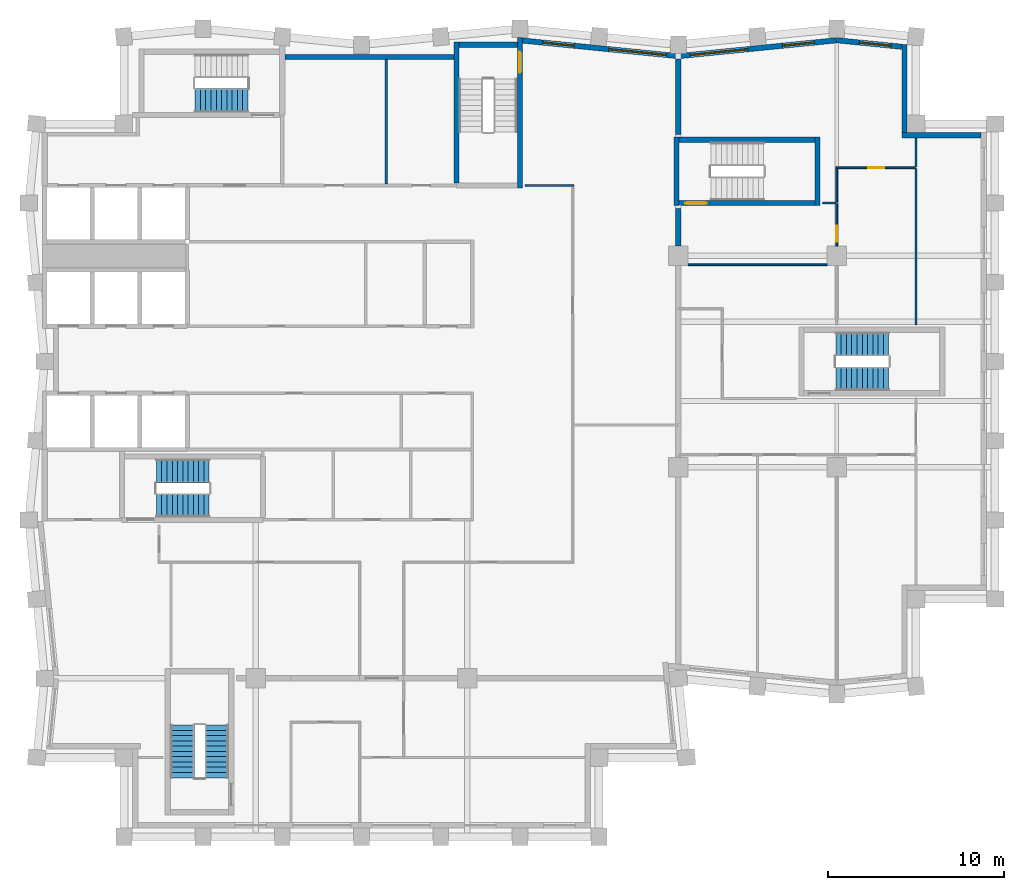
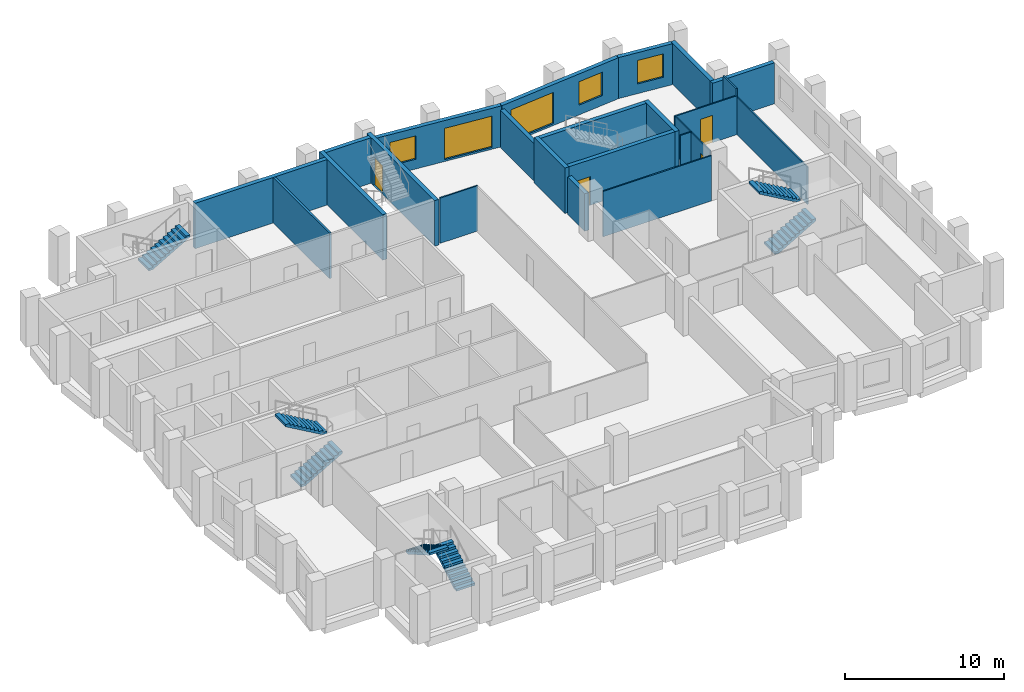
# One storey, part 6 of 8: 24 walls, 7 stair flights, 5 windows, 4 doors, 9 openings, 4 elements without a shape of their own.
"""IFC4 building model written with IfcOpenShell, lengths in metres."""

from ifc_helpers import new_model, si_unit, direction, frame, frame_2d, origin, place, context, subcontext, project, spatial, polyline, rectangle, outline, extrude, material, layer, layer_set, type_object, element, fill, aggregate, save


model = new_model("IFC4")

# Units and contexts
model_context = context("Model", 3, precision=1e-05, world=origin(), true_north=direction((0.0, 1.0)))
body_context = subcontext(model_context, "Body", "Model", "MODEL_VIEW")
ifc_project = project(units=[si_unit("LENGTHUNIT", "METRE"), si_unit("AREAUNIT", "SQUARE_METRE"), si_unit("VOLUMEUNIT", "CUBIC_METRE"), si_unit("PLANEANGLEUNIT", "RADIAN"), si_unit("MASSUNIT", "GRAM", prefix="KILO")], contexts=[model_context])

# Site, building, storey
site_placement = place(None, origin())
site = spatial("IfcSite", under=ifc_project, at=site_placement, CompositionType="ELEMENT")
building_placement = place(site_placement, origin())
building = spatial("IfcBuilding", under=site, at=building_placement, Name="Brondeck Convention Tower", CompositionType="ELEMENT")
storey_placement = place(building_placement, frame((0.0, 0.0, 214.0)))
storey = spatial("IfcBuildingStorey", under=building, at=storey_placement, Name="L52", CompositionType="ELEMENT", Elevation=214.0)

# Walls
ifc_material_1 = material(Name="Concrete compartment wall C30/37", Category="concrete")
ifc_layer_1 = layer(ifc_material_1, 0.300048828125)
ifc_layer_set_1 = layer_set([ifc_layer_1], Name="Compartment wall 300")
wall_type_1 = type_object("IfcWallType", Name="Compartment wall 300", PredefinedType="PARTITIONING", material=ifc_layer_set_1)
wall_1_placement = place(storey_placement, frame((36.0, 51.554931640625, 0.0), z_axis=(0.0, 0.0, 1.0), x_axis=(0.0, 1.0, 0.0)))
element("IfcWall", 1, at=wall_1_placement, inside=storey, type_object=wall_type_1, Name="FLR-L52-W047", PredefinedType="PARTITIONING", context=body_context, shape_type="SweptSolid", body=[
    extrude(rectangle(XDim=2.14501953125, YDim=0.300048828125, at=frame_2d((1.072509765625, 0.0))), origin(), (0.0, 0.0, 1.0), 2.8798828125),
])
wall_2_placement = place(storey_placement, frame((36.0, 57.89990234375, 0.0), z_axis=(0.0, 0.0, 1.0), x_axis=(0.0, 1.0, 0.0)))
element("IfcWall", 2, at=wall_2_placement, inside=storey, type_object=wall_type_1, Name="FLR-L52-W055", PredefinedType="PARTITIONING", context=body_context, shape_type="SweptSolid", body=[
    extrude(rectangle(XDim=4.2763671875, YDim=0.300048828125, at=frame_2d((2.13818359375, 0.0))), origin(), (0.0, 0.0, 1.0), 2.8798828125),
])
ifc_material_2 = material(Name="Concrete C50/60", Category="concrete")
ifc_layer_2 = layer(ifc_material_2, 0.300048828125)
ifc_layer_set_2 = layer_set([ifc_layer_2], Name="Core outer wall 300 Concrete C50/60")
wall_type_2 = type_object("IfcWallType", Name="Core outer wall 300 Concrete C50/60", PredefinedType="SHEAR", material=ifc_layer_set_2)
wall_3_placement = place(storey_placement, frame((13.64990234375, 62.300048828125, 0.0), z_axis=(0.0, 0.0, 1.0), x_axis=(1.0, 0.0, 0.0)))
element("IfcWall", 3, at=wall_3_placement, inside=storey, type_object=wall_type_2, Name="L52 core wall", PredefinedType="SHEAR", context=body_context, shape_type="SweptSolid", body=[
    extrude(rectangle(XDim=9.60009765625, YDim=0.300048828125, at=frame_2d((4.800048828125, 0.0))), origin(), (0.0, 0.0, 1.0), 3.5),
])
ifc_material_3 = material(Name="Fire-rated gypsum board partition")
ifc_layer_3 = layer(ifc_material_3, 0.14990234375)
ifc_layer_set_3 = layer_set([ifc_layer_3], Name="Core partition 150 EI 60")
wall_type_3 = type_object("IfcWallType", Name="Core partition 150 EI 60", PredefinedType="PARTITIONING", material=ifc_layer_set_3)
wall_4_placement = place(storey_placement, frame((19.39990234375, 55.074951171875, 0.0), z_axis=(0.0, 0.0, 1.0), x_axis=(0.0, 1.0, 0.0)))
element("IfcWall", 4, at=wall_4_placement, inside=storey, type_object=wall_type_3, Name="L52 core wall", PredefinedType="PARTITIONING", context=body_context, shape_type="SweptSolid", body=[
    extrude(rectangle(XDim=7.074951171875, YDim=0.14990234375, at=frame_2d((3.53759765625, 0.0))), origin(), (0.0, 0.0, 1.0), 3.5),
])
ifc_material_4 = material(Name="Precast concrete C50/60 bronze finish", Category="concrete")
ifc_layer_4 = layer(ifc_material_4, 0.070068359375, Name="Bronze precast facing")
ifc_material_5 = material(Name="Mineral wool")
ifc_layer_5 = layer(ifc_material_5, 0.159912109375, Name="Insulation")
ifc_material_6 = material(Name="Concrete C35/45", Category="concrete")
ifc_layer_6 = layer(ifc_material_6, 0.070068359375, Name="Backing")
ifc_layer_set_4 = layer_set([ifc_layer_4, ifc_layer_5, ifc_layer_6], Name="External infill wall, precast concrete C50/60 bronze facing")
wall_type_4 = type_object("IfcWallType", Name="External infill wall, precast concrete C50/60 bronze facing", PredefinedType="SOLIDWALL", material=ifc_layer_set_4)
wall_5_placement = place(storey_placement, frame((48.699951171875, 57.85009765625, 0.0), z_axis=(0.0, 0.0, 1.0), x_axis=(1.0, 0.0, 0.0)))
element("IfcWall", 5, at=wall_5_placement, inside=storey, type_object=wall_type_4, Name="ENV-EW-L52-P2-NC-NEA54-01", PredefinedType="SOLIDWALL", context=body_context, shape_type="SweptSolid", body=[
    extrude(rectangle(XDim=4.501953125, YDim=0.300048828125, at=frame_2d((2.2509765625, 0.0))), origin(), (0.0, 0.0, 1.0), 3.14990234375),
])
wall_6_placement = place(storey_placement, frame((48.85009765625, 62.99755859375, 0.0), z_axis=(0.0, 0.0, 1.0), x_axis=(0.0, -1.0, 0.0)))
element("IfcWall", 6, at=wall_6_placement, inside=storey, type_object=wall_type_4, Name="ENV-EW-L52-P2-NC-NEA54-02", PredefinedType="SOLIDWALL", context=body_context, shape_type="SweptSolid", body=[
    extrude(rectangle(XDim=4.99951171875, YDim=0.300048828125, at=frame_2d((2.499755859375, 0.0))), origin(), (0.0, 0.0, 1.0), 3.14990234375),
])

# Wall, opening, window
wall_7_placement = place(storey_placement, frame((44.985107421875, 63.248291015625, 0.0), z_axis=(0.0, 0.0, 1.0), x_axis=(0.995037837869, -0.099497242219, 0.0)))
wall_7 = element("IfcWall", 7, at=wall_7_placement, inside=storey, type_object=wall_type_4, Name="ENV-EW-L52-P2-A-N-10", PredefinedType="SOLIDWALL", context=body_context, shape_type="SweptSolid", body=[
    extrude(rectangle(XDim=3.732177734375, YDim=0.300048828125, at=frame_2d((1.8662109375, 0.0))), origin(), (0.0, 0.0, 1.0), 3.14990234375),
])
opening_1_placement = place(wall_7_placement, frame((1.311279296875, 0.0, 0.75)))
opening_1 = element("IfcOpeningElement", 8, at=opening_1_placement, cuts=wall_7, Name="Opening W10", PredefinedType="OPENING", context=body_context, shape_type="SweptSolid", body=[
    extrude(rectangle(XDim=1.800048828125, YDim=1.800048828125, at=frame_2d((0.89990234375, 0.89990234375))), frame((0.0, 0.159912109375, 0.0), z_axis=(0.0, -1.0, 0.0), x_axis=(1.0, 0.0, 0.0)), (0.0, 0.0, 1.0), 0.320068359375),
])
ifc_material_7 = material(Name="Bronze tinted double glazing", Category="glass")
window_type_1 = type_object("IfcWindowType", Name="Punched window, bronze tinted", PartitioningType="SINGLE_PANEL", PredefinedType="WINDOW", material=ifc_material_7)
window_1_placement = place(opening_1_placement, origin())
window_1 = element("IfcWindow", 9, at=window_1_placement, inside=storey, type_object=window_type_1, Name="ENV-WN-L52-P2-A-N-10", OverallHeight=1.800048828125, OverallWidth=1.800048828125, PartitioningType="SINGLE_PANEL", PredefinedType="WINDOW", context=body_context, shape_type="SweptSolid", body=[
    extrude(rectangle(XDim=1.800048828125, YDim=1.800048828125, at=frame_2d((0.89990234375, 0.89990234375))), frame((0.0, 0.030029296875, 0.0), z_axis=(0.0, -1.0, 0.0), x_axis=(1.0, 0.0, 0.0)), (0.0, 0.0, 1.0), 0.06005859375),
])
fill(opening_1, window_1)

# Wall, openings, windows
wall_8_placement = place(storey_placement, frame((35.985107421875, 62.34521484375, 0.0), z_axis=(0.0, 0.0, 1.0), x_axis=(0.995035316196, 0.099522457379, 0.0)))
wall_8 = element("IfcWall", 10, at=wall_8_placement, inside=storey, type_object=wall_type_4, Name="ENV-EW-L52-P2-A-N-09", PredefinedType="SOLIDWALL", context=body_context, shape_type="SweptSolid", body=[
    extrude(rectangle(XDim=9.030029296875, YDim=0.300048828125, at=frame_2d((4.51513671875, 0.0))), origin(), (0.0, 0.0, 1.0), 3.14990234375),
])
opening_2_placement = place(wall_8_placement, frame((0.691162109375, 0.0, 0.14990234375)))
opening_2 = element("IfcOpeningElement", 11, at=opening_2_placement, cuts=wall_8, Name="Opening W9", PredefinedType="OPENING", context=body_context, shape_type="SweptSolid", body=[
    extrude(rectangle(XDim=3.300048828125, YDim=2.39990234375, at=frame_2d((1.64990234375, 1.199951171875))), frame((0.0, 0.159912109375, 0.0), z_axis=(0.0, -1.0, 0.0), x_axis=(1.0, 0.0, 0.0)), (0.0, 0.0, 1.0), 0.320068359375),
])
opening_3_placement = place(wall_8_placement, frame((5.963623046875, 0.0, 0.75)))
opening_3 = element("IfcOpeningElement", 12, at=opening_3_placement, cuts=wall_8, Name="Opening W10", PredefinedType="OPENING", context=body_context, shape_type="SweptSolid", body=[
    extrude(rectangle(XDim=1.800048828125, YDim=1.800048828125, at=frame_2d((0.89990234375, 0.89990234375))), frame((0.0, 0.159912109375, 0.0), z_axis=(0.0, -1.0, 0.0), x_axis=(1.0, 0.0, 0.0)), (0.0, 0.0, 1.0), 0.320068359375),
])
window_type_2 = type_object("IfcWindowType", Name="Glazed flute window, bronze tinted", PartitioningType="SINGLE_PANEL", PredefinedType="WINDOW", material=ifc_material_7)
window_2_placement = place(opening_2_placement, origin())
window_2 = element("IfcWindow", 13, at=window_2_placement, inside=storey, type_object=window_type_2, Name="ENV-WN-L52-P2-A-N-08", OverallHeight=2.39990234375, OverallWidth=3.300048828125, PartitioningType="SINGLE_PANEL", PredefinedType="WINDOW", context=body_context, shape_type="SweptSolid", body=[
    extrude(rectangle(XDim=3.300048828125, YDim=2.39990234375, at=frame_2d((1.64990234375, 1.199951171875))), frame((0.0, 0.030029296875, 0.0), z_axis=(0.0, -1.0, 0.0), x_axis=(1.0, 0.0, 0.0)), (0.0, 0.0, 1.0), 0.06005859375),
])
fill(opening_2, window_2)
window_3_placement = place(opening_3_placement, origin())
window_3 = element("IfcWindow", 14, at=window_3_placement, inside=storey, type_object=window_type_1, Name="ENV-WN-L52-P2-A-N-09", OverallHeight=1.800048828125, OverallWidth=1.800048828125, PartitioningType="SINGLE_PANEL", PredefinedType="WINDOW", context=body_context, shape_type="SweptSolid", body=[
    extrude(rectangle(XDim=1.800048828125, YDim=1.800048828125, at=frame_2d((0.89990234375, 0.89990234375))), frame((0.0, 0.030029296875, 0.0), z_axis=(0.0, -1.0, 0.0), x_axis=(1.0, 0.0, 0.0)), (0.0, 0.0, 1.0), 0.06005859375),
])
fill(opening_3, window_3)

wall_9_placement = place(storey_placement, frame((27.084716796875, 63.23828125, 0.0), z_axis=(0.0, 0.0, 1.0), x_axis=(0.995035836657, -0.099517253618, 0.0)))
wall_9 = element("IfcWall", 15, at=wall_9_placement, inside=storey, type_object=wall_type_4, Name="ENV-EW-L52-P2-A-N-07", PredefinedType="SOLIDWALL", context=body_context, shape_type="SweptSolid", body=[
    extrude(rectangle(XDim=8.929931640625, YDim=0.300048828125, at=frame_2d((4.46484375, 0.0))), origin(), (0.0, 0.0, 1.0), 3.14990234375),
])
opening_4_placement = place(wall_9_placement, frame((1.211181640625, 0.0, 0.75)))
opening_4 = element("IfcOpeningElement", 16, at=opening_4_placement, cuts=wall_9, Name="Opening W10", PredefinedType="OPENING", context=body_context, shape_type="SweptSolid", body=[
    extrude(rectangle(XDim=1.800048828125, YDim=1.800048828125, at=frame_2d((0.89990234375, 0.89990234375))), frame((0.0, 0.159912109375, 0.0), z_axis=(0.0, -1.0, 0.0), x_axis=(1.0, 0.0, 0.0)), (0.0, 0.0, 1.0), 0.320068359375),
])
opening_5_placement = place(wall_9_placement, frame((4.983642578125, 0.0, 0.14990234375)))
opening_5 = element("IfcOpeningElement", 17, at=opening_5_placement, cuts=wall_9, Name="Opening W9", PredefinedType="OPENING", context=body_context, shape_type="SweptSolid", body=[
    extrude(rectangle(XDim=3.300048828125, YDim=2.39990234375, at=frame_2d((1.64990234375, 1.199951171875))), frame((0.0, 0.159912109375, 0.0), z_axis=(0.0, -1.0, 0.0), x_axis=(1.0, 0.0, 0.0)), (0.0, 0.0, 1.0), 0.320068359375),
])
window_4_placement = place(opening_5_placement, origin())
window_4 = element("IfcWindow", 18, at=window_4_placement, inside=storey, type_object=window_type_2, Name="ENV-WN-L52-P2-A-N-07", OverallHeight=2.39990234375, OverallWidth=3.300048828125, PartitioningType="SINGLE_PANEL", PredefinedType="WINDOW", context=body_context, shape_type="SweptSolid", body=[
    extrude(rectangle(XDim=3.300048828125, YDim=2.39990234375, at=frame_2d((1.64990234375, 1.199951171875))), frame((0.0, 0.030029296875, 0.0), z_axis=(0.0, -1.0, 0.0), x_axis=(1.0, 0.0, 0.0)), (0.0, 0.0, 1.0), 0.06005859375),
])
fill(opening_5, window_4)
window_5_placement = place(opening_4_placement, origin())
window_5 = element("IfcWindow", 19, at=window_5_placement, inside=storey, type_object=window_type_1, Name="ENV-WN-L52-P2-A-N-06", OverallHeight=1.800048828125, OverallWidth=1.800048828125, PartitioningType="SINGLE_PANEL", PredefinedType="WINDOW", context=body_context, shape_type="SweptSolid", body=[
    extrude(rectangle(XDim=1.800048828125, YDim=1.800048828125, at=frame_2d((0.89990234375, 0.89990234375))), frame((0.0, 0.030029296875, 0.0), z_axis=(0.0, -1.0, 0.0), x_axis=(1.0, 0.0, 0.0)), (0.0, 0.0, 1.0), 0.06005859375),
])
fill(opening_4, window_5)

# Walls
ifc_material_8 = material(Name="Gypsum board partition on steel studs", Category="steel")
ifc_layer_7 = layer(ifc_material_8, 0.10009765625)
ifc_layer_set_5 = layer_set([ifc_layer_7], Name="Room partition 100")
wall_type_5 = type_object("IfcWallType", Name="Room partition 100", PredefinedType="PARTITIONING", material=ifc_layer_set_5)
wall_10_placement = place(storey_placement, frame((49.5, 47.10009765625, 0.0), z_axis=(0.0, 0.0, 1.0), x_axis=(0.0, 1.0, 0.0)))
element("IfcWall", 20, at=wall_10_placement, inside=storey, type_object=wall_type_5, Name="FLR-L52-W041", PredefinedType="PARTITIONING", context=body_context, shape_type="SweptSolid", body=[
    extrude(rectangle(XDim=8.849853515625, YDim=0.10009765625, at=frame_2d((4.4248046875, 0.0))), origin(), (0.0, 0.0, 1.0), 2.8798828125),
])
wall_11_placement = place(storey_placement, frame((44.445068359375, 50.5, 0.0), z_axis=(0.0, 0.0, 1.0), x_axis=(-1.0, 0.0, 0.0)))
element("IfcWall", 21, at=wall_11_placement, inside=storey, type_object=wall_type_5, Name="FLR-L52-W046", PredefinedType="PARTITIONING", context=body_context, shape_type="SweptSolid", body=[
    extrude(rectangle(XDim=7.89013671875, YDim=0.10009765625, at=frame_2d((3.945068359375, 0.0))), origin(), (0.0, 0.0, 1.0), 3.47998046875),
])

# Wall, opening, door
wall_12_placement = place(storey_placement, frame((45.0, 53.949951171875, 0.0), z_axis=(0.0, 0.0, 1.0), x_axis=(0.0, -1.0, 0.0)))
wall_12 = element("IfcWall", 22, at=wall_12_placement, inside=storey, type_object=wall_type_5, Name="FLR-L52-W048", PredefinedType="PARTITIONING", context=body_context, shape_type="SweptSolid", body=[
    extrude(rectangle(XDim=2.39501953125, YDim=0.10009765625, at=frame_2d((1.197509765625, 0.0))), origin(), (0.0, 0.0, 1.0), 2.97998046875),
])
opening_6_placement = place(wall_12_placement, frame((1.25, 0.0, 0.0)))
opening_6 = element("IfcOpeningElement", 23, at=opening_6_placement, cuts=wall_12, Name="Opening OF-L-007", PredefinedType="OPENING", context=body_context, shape_type="SweptSolid", body=[
    extrude(rectangle(XDim=0.89990234375, YDim=2.10009765625, at=frame_2d((0.449951171875, 1.050048828125))), frame((0.0, 0.06005859375, 0.0), z_axis=(0.0, -1.0, 0.0), x_axis=(1.0, 0.0, 0.0)), (0.0, 0.0, 1.0), 0.1201171875),
])
ifc_material_9 = material(Name="Solid timber door leaf", Category="wood")
door_type_1 = type_object("IfcDoorType", Name="Single door 900", OperationType="NOTDEFINED", PredefinedType="DOOR", material=ifc_material_9)
door_1_placement = place(opening_6_placement, origin())
door_1 = element("IfcDoor", 24, at=door_1_placement, inside=storey, type_object=door_type_1, Name="Door OF-L-007", OperationType="SINGLE_SWING_LEFT", OverallHeight=2.10009765625, OverallWidth=0.89990234375, PredefinedType="DOOR", context=body_context, shape_type="SweptSolid", body=[
    extrude(rectangle(XDim=0.89990234375, YDim=2.10009765625, at=frame_2d((0.449951171875, 1.050048828125))), frame((0.0, 0.02490234375, 0.0), z_axis=(0.0, -1.0, 0.0), x_axis=(1.0, 0.0, 0.0)), (0.0, 0.0, 1.0), 0.050048828125),
])
fill(opening_6, door_1)

# Walls
wall_13_placement = place(storey_placement, frame((44.199951171875, 54.0, 0.0), z_axis=(0.0, 0.0, 1.0), x_axis=(1.0, 0.0, 0.0)))
element("IfcWall", 25, at=wall_13_placement, inside=storey, type_object=wall_type_5, Name="FLR-L52-W049", PredefinedType="PARTITIONING", context=body_context, shape_type="SweptSolid", body=[
    extrude(rectangle(XDim=0.75, YDim=0.10009765625, at=frame_2d((0.375, 0.0))), origin(), (0.0, 0.0, 1.0), 2.97998046875),
])
wall_14_placement = place(storey_placement, frame((45.0, 54.050048828125, 0.0), z_axis=(0.0, 0.0, 1.0), x_axis=(0.0, 1.0, 0.0)))
element("IfcWall", 26, at=wall_14_placement, inside=storey, type_object=wall_type_5, Name="FLR-L52-W050", PredefinedType="PARTITIONING", context=body_context, shape_type="SweptSolid", body=[
    extrude(rectangle(XDim=1.89990234375, YDim=0.10009765625, at=frame_2d((0.949951171875, 0.0))), origin(), (0.0, 0.0, 1.0), 2.97998046875),
])
wall_15_placement = place(storey_placement, frame((27.300048828125, 55.0, 0.0), z_axis=(0.0, 0.0, 1.0), x_axis=(1.0, 0.0, 0.0)))
element("IfcWall", 27, at=wall_15_placement, inside=storey, type_object=wall_type_5, Name="FLR-L52-W052", PredefinedType="PARTITIONING", context=body_context, shape_type="SweptSolid", body=[
    extrude(rectangle(XDim=2.75, YDim=0.10009765625, at=frame_2d((1.375, 0.0))), origin(), (0.0, 0.0, 1.0), 3.47998046875),
])

# Wall, opening, door
wall_16_placement = place(storey_placement, frame((44.949951171875, 56.0, 0.0), z_axis=(0.0, 0.0, 1.0), x_axis=(1.0, 0.0, 0.0)))
wall_16 = element("IfcWall", 28, at=wall_16_placement, inside=storey, type_object=wall_type_5, Name="FLR-L52-W053", PredefinedType="PARTITIONING", context=body_context, shape_type="SweptSolid", body=[
    extrude(rectangle(XDim=4.5, YDim=0.10009765625, at=frame_2d((2.25, 0.0))), origin(), (0.0, 0.0, 1.0), 2.97998046875),
])
opening_7_placement = place(wall_16_placement, frame((1.85009765625, 0.0, 0.0)))
opening_7 = element("IfcOpeningElement", 29, at=opening_7_placement, cuts=wall_16, Name="Opening OF-L-008", PredefinedType="OPENING", context=body_context, shape_type="SweptSolid", body=[
    extrude(rectangle(XDim=0.89990234375, YDim=2.10009765625, at=frame_2d((0.449951171875, 1.050048828125))), frame((0.0, 0.06005859375, 0.0), z_axis=(0.0, -1.0, 0.0), x_axis=(1.0, 0.0, 0.0)), (0.0, 0.0, 1.0), 0.1201171875),
])
door_2_placement = place(opening_7_placement, origin())
door_2 = element("IfcDoor", 30, at=door_2_placement, inside=storey, type_object=door_type_1, Name="Door OF-L-008", OperationType="SINGLE_SWING_LEFT", OverallHeight=2.10009765625, OverallWidth=0.89990234375, PredefinedType="DOOR", context=body_context, shape_type="SweptSolid", body=[
    extrude(rectangle(XDim=0.89990234375, YDim=2.10009765625, at=frame_2d((0.449951171875, 1.050048828125))), frame((0.0, 0.02490234375, 0.0), z_axis=(0.0, -1.0, 0.0), x_axis=(1.0, 0.0, 0.0)), (0.0, 0.0, 1.0), 0.050048828125),
])
fill(opening_7, door_2)

# Wall
wall_17_placement = place(storey_placement, frame((49.5, 56.050048828125, 0.0), z_axis=(0.0, 0.0, 1.0), x_axis=(0.0, 1.0, 0.0)))
element("IfcWall", 31, at=wall_17_placement, inside=storey, type_object=wall_type_5, Name="FLR-L52-W054", PredefinedType="PARTITIONING", context=body_context, shape_type="SweptSolid", body=[
    extrude(rectangle(XDim=1.6298828125, YDim=0.10009765625, at=frame_2d((0.81494140625, 0.0))), origin(), (0.0, 0.0, 1.0), 3.47998046875),
])

# Wall, opening, door
ifc_layer_8 = layer(ifc_material_2, 0.300048828125)
ifc_layer_set_6 = layer_set([ifc_layer_8], Name="Stair enclosure wall 300 Concrete C50/60")
wall_type_6 = type_object("IfcWallType", Name="Stair enclosure wall 300 Concrete C50/60", PredefinedType="SHEAR", material=ifc_layer_set_6)
wall_18_placement = place(storey_placement, frame((36.050048828125, 54.0, 0.0), z_axis=(0.0, 0.0, 1.0), x_axis=(1.0, 0.0, 0.0)))
wall_18 = element("IfcWall", 32, at=wall_18_placement, inside=storey, type_object=wall_type_6, Name="L52 core wall", PredefinedType="SHEAR", context=body_context, shape_type="SweptSolid", body=[
    extrude(rectangle(XDim=7.699951171875, YDim=0.300048828125, at=frame_2d((3.85009765625, 0.0))), origin(), (0.0, 0.0, 1.0), 3.5),
])
opening_8_placement = place(wall_18_placement, frame((0.35009765625, 0.0, 0.0)))
opening_8 = element("IfcOpeningElement", 33, at=opening_8_placement, cuts=wall_18, Name="Opening C29-16", PredefinedType="OPENING", context=body_context, shape_type="SweptSolid", body=[
    extrude(rectangle(XDim=1.199951171875, YDim=2.199951171875, at=frame_2d((0.60009765625, 1.10009765625))), frame((0.0, 0.159912109375, 0.0), z_axis=(0.0, -1.0, 0.0), x_axis=(1.0, 0.0, 0.0)), (0.0, 0.0, 1.0), 0.320068359375),
])
ifc_material_10 = material(Name="Steel fire door", Category="steel")
door_type_2 = type_object("IfcDoorType", Name="Stair door 1200x2200 EI 90", OperationType="NOTDEFINED", PredefinedType="DOOR", material=ifc_material_10)
door_3_placement = place(opening_8_placement, origin())
door_3 = element("IfcDoor", 34, at=door_3_placement, inside=storey, type_object=door_type_2, Name="L52 Stair door ST-AE", OperationType="SINGLE_SWING_LEFT", OverallHeight=2.199951171875, OverallWidth=1.199951171875, PredefinedType="DOOR", context=body_context, shape_type="SweptSolid", body=[
    extrude(rectangle(XDim=1.199951171875, YDim=2.199951171875, at=frame_2d((0.60009765625, 1.10009765625))), frame((0.0, 0.02490234375, 0.0), z_axis=(0.0, -1.0, 0.0), x_axis=(1.0, 0.0, 0.0)), (0.0, 0.0, 1.0), 0.050048828125),
])
fill(opening_8, door_3)

# Walls
wall_19_placement = place(storey_placement, frame((36.050048828125, 57.60009765625, 0.0), z_axis=(0.0, 0.0, 1.0), x_axis=(1.0, 0.0, 0.0)))
element("IfcWall", 35, at=wall_19_placement, inside=storey, type_object=wall_type_6, Name="L52 core wall", PredefinedType="SHEAR", context=body_context, shape_type="SweptSolid", body=[
    extrude(rectangle(XDim=7.699951171875, YDim=0.300048828125, at=frame_2d((3.85009765625, 0.0))), origin(), (0.0, 0.0, 1.0), 3.5),
])
wall_20_placement = place(storey_placement, frame((23.550048828125, 63.0, 0.0), z_axis=(0.0, 0.0, 1.0), x_axis=(1.0, 0.0, 0.0)))
element("IfcWall", 36, at=wall_20_placement, inside=storey, type_object=wall_type_6, Name="L52 core wall", PredefinedType="SHEAR", context=body_context, shape_type="SweptSolid", body=[
    extrude(rectangle(XDim=3.300048828125, YDim=0.300048828125, at=frame_2d((1.64990234375, 0.0))), origin(), (0.0, 0.0, 1.0), 3.5),
])
wall_21_placement = place(storey_placement, frame((23.39990234375, 55.14990234375, 0.0), z_axis=(0.0, 0.0, 1.0), x_axis=(0.0, 1.0, 0.0)))
element("IfcWall", 37, at=wall_21_placement, inside=storey, type_object=wall_type_6, Name="L52 core wall", PredefinedType="SHEAR", context=body_context, shape_type="SweptSolid", body=[
    extrude(rectangle(XDim=8.0, YDim=0.300048828125, at=frame_2d((4.0, 0.0))), origin(), (0.0, 0.0, 1.0), 3.5),
])

# Wall, opening, door
wall_22_placement = place(storey_placement, frame((27.0, 54.85009765625, 0.0), z_axis=(0.0, 0.0, 1.0), x_axis=(0.0, 1.0, 0.0)))
wall_22 = element("IfcWall", 38, at=wall_22_placement, inside=storey, type_object=wall_type_6, Name="L52 core wall", PredefinedType="SHEAR", context=body_context, shape_type="SweptSolid", body=[
    extrude(rectangle(XDim=8.5498046875, YDim=0.300048828125, at=frame_2d((4.27490234375, 0.0))), origin(), (0.0, 0.0, 1.0), 3.5),
])
opening_9_placement = place(wall_22_placement, frame((6.550048828125, 0.0, 0.0)))
opening_9 = element("IfcOpeningElement", 39, at=opening_9_placement, cuts=wall_22, Name="Opening C29-14", PredefinedType="OPENING", context=body_context, shape_type="SweptSolid", body=[
    extrude(rectangle(XDim=1.199951171875, YDim=2.199951171875, at=frame_2d((0.60009765625, 1.10009765625))), frame((0.0, 0.159912109375, 0.0), z_axis=(0.0, -1.0, 0.0), x_axis=(1.0, 0.0, 0.0)), (0.0, 0.0, 1.0), 0.320068359375),
])
door_4_placement = place(opening_9_placement, origin())
door_4 = element("IfcDoor", 40, at=door_4_placement, inside=storey, type_object=door_type_2, Name="L52 Stair door ST-2", OperationType="SINGLE_SWING_LEFT", OverallHeight=2.199951171875, OverallWidth=1.199951171875, PredefinedType="DOOR", context=body_context, shape_type="SweptSolid", body=[
    extrude(rectangle(XDim=1.199951171875, YDim=2.199951171875, at=frame_2d((0.60009765625, 1.10009765625))), frame((0.0, 0.02490234375, 0.0), z_axis=(0.0, -1.0, 0.0), x_axis=(1.0, 0.0, 0.0)), (0.0, 0.0, 1.0), 0.050048828125),
])
fill(opening_9, door_4)

# Walls
for number, where, z_axis, x_axis, name in (
    (41, (35.89990234375, 53.85009765625, 0.0), (0.0, 0.0, 1.0), (0.0, 1.0, 0.0), "L52 core wall"),
    (42, (43.89990234375, 53.85009765625, 0.0), (0.0, 0.0, 1.0), (0.0, 1.0, 0.0), "L52 core wall"),
):
    element("IfcWall", number, at=place(storey_placement, frame(where, z_axis=z_axis, x_axis=x_axis)), inside=storey, type_object=wall_type_6, Name=name, PredefinedType="SHEAR", context=body_context, shape_type="SweptSolid", body=[
        extrude(rectangle(XDim=3.89990234375, YDim=0.300048828125, at=frame_2d((1.949951171875, 0.0))), origin(), (0.0, 0.0, 1.0), 3.5),
    ])

# Stair, stair flights
ifc_material_11 = material(Name="Precast concrete C50/60", Category="concrete")
stair_type = type_object("IfcStairType", Name="Core stair 22 risers 172.73 mm riser 300 mm going 1350 wide", PredefinedType="HALF_TURN_STAIR", material=ifc_material_11)
stair_1_placement = place(storey_placement, origin())
stair_1 = element("IfcStair", 43, at=stair_1_placement, inside=storey, type_object=stair_type, Name="ST-1 L52 stair", PredefinedType="HALF_TURN_STAIR")
stair_flight_type = type_object("IfcStairFlightType", Name="Core stair flight 22 risers 172.73 mm riser 300 mm going 1350 wide", PredefinedType="STRAIGHT", material=ifc_material_11)
stair_flight_1_placement = place(storey_placement, frame((6.35009765625, 36.824951171875, 0.0), z_axis=(0.0, 0.0, 1.0), x_axis=(1.0, 0.0, 0.0)))
stair_flight_1 = element("IfcStairFlight", 44, at=stair_flight_1_placement, type_object=stair_flight_type, Name="ST-1 flight 1", NumberOfRisers=11, NumberOfTreads=10, PredefinedType="STRAIGHT", RiserHeight=0.172727273, TreadLength=0.3, context=body_context, shape_type="SweptSolid", body=[
    extrude(outline(polyline([(0.0, 0.0), (0.0, 0.172607421875), (0.300048828125, 0.172607421875), (0.300048828125, 0.345458984375), (0.60009765625, 0.345458984375), (0.60009765625, 0.51806640625), (0.89990234375, 0.51806640625), (0.89990234375, 0.69091796875), (1.199951171875, 0.69091796875), (1.199951171875, 0.863525390625), (1.5, 0.863525390625), (1.5, 1.036376953125), (1.800048828125, 1.036376953125), (1.800048828125, 1.208984375), (2.10009765625, 1.208984375), (2.10009765625, 1.3818359375), (2.39990234375, 1.3818359375), (2.39990234375, 1.554443359375), (2.699951171875, 1.554443359375), (2.699951171875, 1.727294921875), (3.0, 1.727294921875), (3.0, 1.89990234375), (3.0, 1.55419921875), (0.300537109375, 0.0), (0.0, 0.0)])), frame((0.0, 0.675048828125, 0.0), z_axis=(0.0, -1.0, 0.0), x_axis=(1.0, 0.0, 0.0)), (0.0, 0.0, 1.0), 1.35009765625),
])
stair_flight_2_placement = place(storey_placement, frame((9.35009765625, 38.77490234375, 1.89990234375), z_axis=(0.0, 0.0, 1.0), x_axis=(-1.0, 0.0, 0.0)))
stair_flight_2 = element("IfcStairFlight", 45, at=stair_flight_2_placement, type_object=stair_flight_type, Name="ST-1 flight 2", NumberOfRisers=11, NumberOfTreads=10, PredefinedType="STRAIGHT", RiserHeight=0.172727273, TreadLength=0.3, context=body_context, shape_type="SweptSolid", body=[
    extrude(outline(polyline([(0.0, 0.0), (0.0, 0.172607421875), (0.300048828125, 0.172607421875), (0.300048828125, 0.345458984375), (0.60009765625, 0.345458984375), (0.60009765625, 0.51806640625), (0.89990234375, 0.51806640625), (0.89990234375, 0.69091796875), (1.199951171875, 0.69091796875), (1.199951171875, 0.863525390625), (1.5, 0.863525390625), (1.5, 1.036376953125), (1.800048828125, 1.036376953125), (1.800048828125, 1.208984375), (2.10009765625, 1.208984375), (2.10009765625, 1.3818359375), (2.39990234375, 1.3818359375), (2.39990234375, 1.554443359375), (2.699951171875, 1.554443359375), (2.699951171875, 1.727294921875), (3.0, 1.727294921875), (3.0, 1.89990234375), (3.0, 1.55419921875), (0.300537109375, 0.0), (0.0, 0.0)])), frame((0.0, 0.675048828125, 0.0), z_axis=(0.0, -1.0, 0.0), x_axis=(1.0, 0.0, 0.0)), (0.0, 0.0, 1.0), 1.35009765625),
])
aggregate(stair_1, [stair_flight_1, stair_flight_2])

# Stair, stair flight
stair_2_placement = place(storey_placement, origin())
stair_2 = element("IfcStair", 46, at=stair_2_placement, inside=storey, type_object=stair_type, Name="ST-3 L52 stair", PredefinedType="HALF_TURN_STAIR")
stair_flight_3_placement = place(storey_placement, frame((8.550048828125, 59.824951171875, 1.89990234375), z_axis=(0.0, 0.0, 1.0), x_axis=(1.0, 0.0, 0.0)))
stair_flight_3 = element("IfcStairFlight", 47, at=stair_flight_3_placement, type_object=stair_flight_type, Name="ST-3 flight 2", NumberOfRisers=11, NumberOfTreads=10, PredefinedType="STRAIGHT", RiserHeight=0.172727273, TreadLength=0.3, context=body_context, shape_type="SweptSolid", body=[
    extrude(outline(polyline([(0.0, 0.0), (0.0, 0.172607421875), (0.300048828125, 0.172607421875), (0.300048828125, 0.345458984375), (0.60009765625, 0.345458984375), (0.60009765625, 0.51806640625), (0.89990234375, 0.51806640625), (0.89990234375, 0.69091796875), (1.199951171875, 0.69091796875), (1.199951171875, 0.863525390625), (1.5, 0.863525390625), (1.5, 1.036376953125), (1.800048828125, 1.036376953125), (1.800048828125, 1.208984375), (2.10009765625, 1.208984375), (2.10009765625, 1.3818359375), (2.39990234375, 1.3818359375), (2.39990234375, 1.554443359375), (2.699951171875, 1.554443359375), (2.699951171875, 1.727294921875), (3.0, 1.727294921875), (3.0, 1.89990234375), (3.0, 1.55419921875), (0.300537109375, 0.0), (0.0, 0.0)])), frame((0.0, 0.675048828125, 0.0), z_axis=(0.0, -1.0, 0.0), x_axis=(1.0, 0.0, 0.0)), (0.0, 0.0, 1.0), 1.35009765625),
])
aggregate(stair_2, [stair_flight_3])

# Stair, stair flights
stair_3_placement = place(storey_placement, origin())
stair_3 = element("IfcStair", 48, at=stair_3_placement, inside=storey, type_object=stair_type, Name="ST-BE L52 stair", PredefinedType="HALF_TURN_STAIR")
stair_flight_4_placement = place(storey_placement, frame((9.77490234375, 21.35009765625, 0.0), z_axis=(0.0, 0.0, 1.0), x_axis=(0.0, 1.0, 0.0)))
stair_flight_4 = element("IfcStairFlight", 49, at=stair_flight_4_placement, type_object=stair_flight_type, Name="ST-BE flight 1", NumberOfRisers=11, NumberOfTreads=10, PredefinedType="STRAIGHT", RiserHeight=0.172727273, TreadLength=0.3, context=body_context, shape_type="SweptSolid", body=[
    extrude(outline(polyline([(0.0, 0.0), (0.0, 0.172607421875), (0.300048828125, 0.172607421875), (0.300048828125, 0.345458984375), (0.60009765625, 0.345458984375), (0.60009765625, 0.51806640625), (0.89990234375, 0.51806640625), (0.89990234375, 0.69091796875), (1.199951171875, 0.69091796875), (1.199951171875, 0.863525390625), (1.5, 0.863525390625), (1.5, 1.036376953125), (1.800048828125, 1.036376953125), (1.800048828125, 1.208984375), (2.10009765625, 1.208984375), (2.10009765625, 1.3818359375), (2.39990234375, 1.3818359375), (2.39990234375, 1.554443359375), (2.699951171875, 1.554443359375), (2.699951171875, 1.727294921875), (3.0, 1.727294921875), (3.0, 1.89990234375), (3.0, 1.55419921875), (0.300537109375, 0.0), (0.0, 0.0)])), frame((0.0, 0.675048828125, 0.0), z_axis=(0.0, -1.0, 0.0), x_axis=(1.0, 0.0, 0.0)), (0.0, 0.0, 1.0), 1.35009765625),
])
stair_flight_5_placement = place(storey_placement, frame((7.824951171875, 24.35009765625, 1.89990234375), z_axis=(0.0, 0.0, 1.0), x_axis=(0.0, -1.0, 0.0)))
stair_flight_5 = element("IfcStairFlight", 50, at=stair_flight_5_placement, type_object=stair_flight_type, Name="ST-BE flight 2", NumberOfRisers=11, NumberOfTreads=10, PredefinedType="STRAIGHT", RiserHeight=0.172727273, TreadLength=0.3, context=body_context, shape_type="SweptSolid", body=[
    extrude(outline(polyline([(0.0, 0.0), (0.0, 0.172607421875), (0.300048828125, 0.172607421875), (0.300048828125, 0.345458984375), (0.60009765625, 0.345458984375), (0.60009765625, 0.51806640625), (0.89990234375, 0.51806640625), (0.89990234375, 0.69091796875), (1.199951171875, 0.69091796875), (1.199951171875, 0.863525390625), (1.5, 0.863525390625), (1.5, 1.036376953125), (1.800048828125, 1.036376953125), (1.800048828125, 1.208984375), (2.10009765625, 1.208984375), (2.10009765625, 1.3818359375), (2.39990234375, 1.3818359375), (2.39990234375, 1.554443359375), (2.699951171875, 1.554443359375), (2.699951171875, 1.727294921875), (3.0, 1.727294921875), (3.0, 1.89990234375), (3.0, 1.55419921875), (0.300537109375, 0.0), (0.0, 0.0)])), frame((0.0, 0.675048828125, 0.0), z_axis=(0.0, -1.0, 0.0), x_axis=(1.0, 0.0, 0.0)), (0.0, 0.0, 1.0), 1.35009765625),
])
aggregate(stair_3, [stair_flight_4, stair_flight_5])

stair_4_placement = place(storey_placement, origin())
stair_4 = element("IfcStair", 51, at=stair_4_placement, inside=storey, type_object=stair_type, Name="ST-AF L52 stair", PredefinedType="HALF_TURN_STAIR")
stair_flight_6_placement = place(storey_placement, frame((44.949951171875, 44.02490234375, 0.0), z_axis=(0.0, 0.0, 1.0), x_axis=(1.0, 0.0, 0.0)))
stair_flight_6 = element("IfcStairFlight", 52, at=stair_flight_6_placement, type_object=stair_flight_type, Name="ST-AF flight 1", NumberOfRisers=11, NumberOfTreads=10, PredefinedType="STRAIGHT", RiserHeight=0.172727273, TreadLength=0.3, context=body_context, shape_type="SweptSolid", body=[
    extrude(outline(polyline([(0.0, 0.0), (0.0, 0.172607421875), (0.300048828125, 0.172607421875), (0.300048828125, 0.345458984375), (0.60009765625, 0.345458984375), (0.60009765625, 0.51806640625), (0.89990234375, 0.51806640625), (0.89990234375, 0.69091796875), (1.199951171875, 0.69091796875), (1.199951171875, 0.863525390625), (1.5, 0.863525390625), (1.5, 1.036376953125), (1.800048828125, 1.036376953125), (1.800048828125, 1.208984375), (2.10009765625, 1.208984375), (2.10009765625, 1.3818359375), (2.39990234375, 1.3818359375), (2.39990234375, 1.554443359375), (2.699951171875, 1.554443359375), (2.699951171875, 1.727294921875), (3.0, 1.727294921875), (3.0, 1.89990234375), (3.0, 1.55419921875), (0.300537109375, 0.0), (0.0, 0.0)])), frame((0.0, 0.675048828125, 0.0), z_axis=(0.0, -1.0, 0.0), x_axis=(1.0, 0.0, 0.0)), (0.0, 0.0, 1.0), 1.35009765625),
])
stair_flight_7_placement = place(storey_placement, frame((47.949951171875, 45.97509765625, 1.89990234375), z_axis=(0.0, 0.0, 1.0), x_axis=(-1.0, 0.0, 0.0)))
stair_flight_7 = element("IfcStairFlight", 53, at=stair_flight_7_placement, type_object=stair_flight_type, Name="ST-AF flight 2", NumberOfRisers=11, NumberOfTreads=10, PredefinedType="STRAIGHT", RiserHeight=0.172727273, TreadLength=0.3, context=body_context, shape_type="SweptSolid", body=[
    extrude(outline(polyline([(0.0, 0.0), (0.0, 0.172607421875), (0.300048828125, 0.172607421875), (0.300048828125, 0.345458984375), (0.60009765625, 0.345458984375), (0.60009765625, 0.51806640625), (0.89990234375, 0.51806640625), (0.89990234375, 0.69091796875), (1.199951171875, 0.69091796875), (1.199951171875, 0.863525390625), (1.5, 0.863525390625), (1.5, 1.036376953125), (1.800048828125, 1.036376953125), (1.800048828125, 1.208984375), (2.10009765625, 1.208984375), (2.10009765625, 1.3818359375), (2.39990234375, 1.3818359375), (2.39990234375, 1.554443359375), (2.699951171875, 1.554443359375), (2.699951171875, 1.727294921875), (3.0, 1.727294921875), (3.0, 1.89990234375), (3.0, 1.55419921875), (0.300537109375, 0.0), (0.0, 0.0)])), frame((0.0, 0.675048828125, 0.0), z_axis=(0.0, -1.0, 0.0), x_axis=(1.0, 0.0, 0.0)), (0.0, 0.0, 1.0), 1.35009765625),
])
aggregate(stair_4, [stair_flight_6, stair_flight_7])

save(model, "model.ifc")
